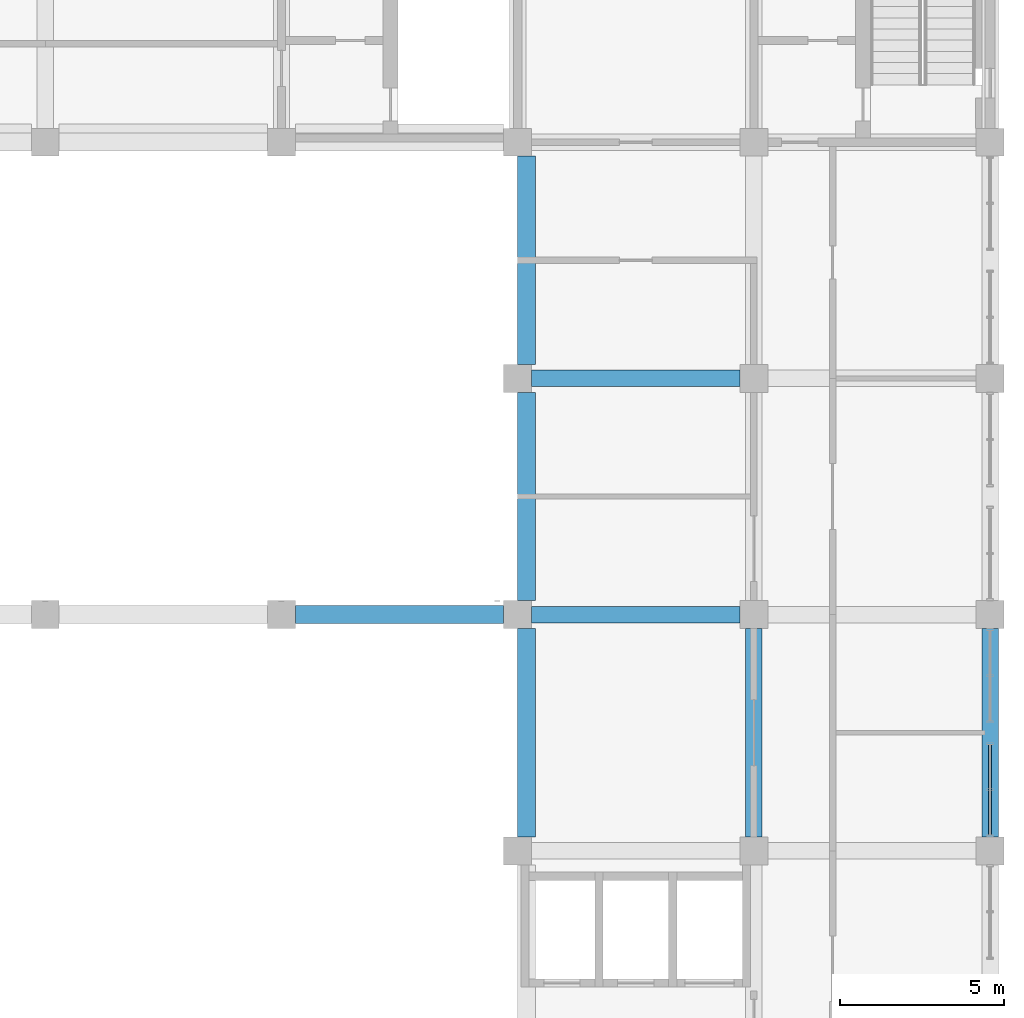
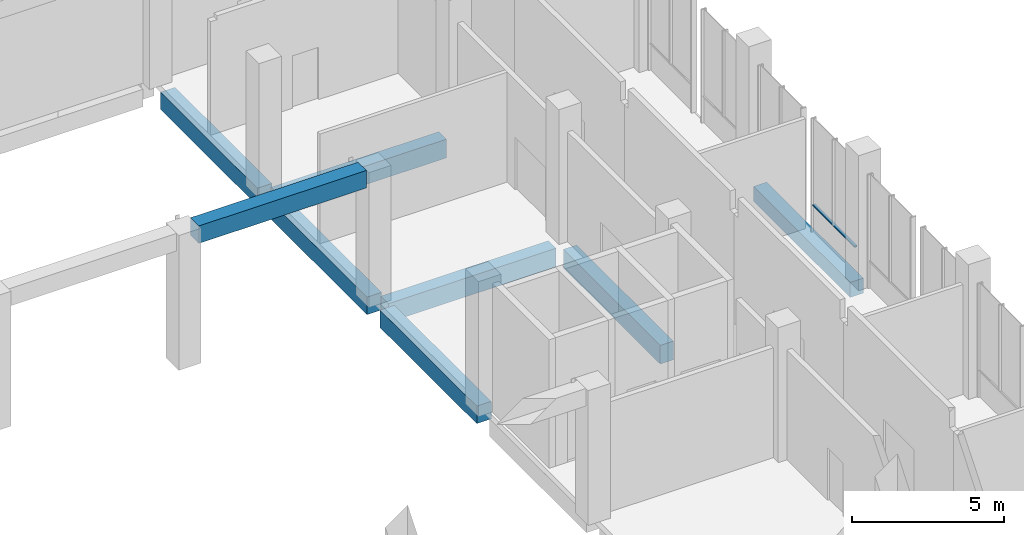
# One storey, part 16 of 48: 8 beams, 1 member, 1 element without a shape of its own.
"""IFC4 building model written with IfcOpenShell, lengths in metres."""

from ifc_helpers import new_model, si_unit, direction, frame, origin, origin_2d, place, context, subcontext, project, spatial, rectangle, hollow_rectangle, extrude, material, material_profile, profile_set, type_object, element, aggregate, save


model = new_model("IFC4")

# Units and contexts
model_context = context("Model", 3, precision=1e-05, world=origin(), true_north=direction((0.0, 1.0)))
body_context = subcontext(model_context, "Body", "Model", "MODEL_VIEW")
ifc_project = project(units=[si_unit("LENGTHUNIT", "METRE"), si_unit("AREAUNIT", "SQUARE_METRE"), si_unit("VOLUMEUNIT", "CUBIC_METRE"), si_unit("PLANEANGLEUNIT", "RADIAN"), si_unit("MASSUNIT", "GRAM", prefix="KILO")], contexts=[model_context])

# Site, building, storey
site_placement = place(None, origin())
site = spatial("IfcSite", under=ifc_project, at=site_placement, CompositionType="ELEMENT")
building_placement = place(site_placement, origin())
building = spatial("IfcBuilding", under=site, at=building_placement, Name="Silangan Lancet Faculty of Sciences", CompositionType="ELEMENT")
storey_placement = place(building_placement, frame((0.0, 0.0, 6.0)))
storey = spatial("IfcBuildingStorey", under=building, at=storey_placement, Name="L01", CompositionType="ELEMENT", Elevation=6.0)

# Beams
ifc_material_1 = material(Name="Concrete C40/50", Category="concrete")
ifc_material_profile_1 = material_profile(ifc_material_1, rectangle(XDim=0.5, YDim=0.60009765625, at=origin_2d()), Name="RC 500x600")
ifc_profile_set_1 = profile_set([ifc_material_profile_1], Name="Concrete C40/50")
beam_type_1 = type_object("IfcBeamType", Name="BEAM RC 500x600", PredefinedType="BEAM", material=ifc_profile_set_1)
beam_1_placement = place(storey_placement, frame((86.39990234375, 29.22509765625, -0.550048828125), z_axis=(0.0, 1.0, 0.0), x_axis=(-1.0, 0.0, 0.0)))
element("IfcBeam", 1, at=beam_1_placement, inside=storey, type_object=beam_type_1, Name="BM-L01-13E-13F", PredefinedType="BEAM", context=body_context, shape_type="SweptSolid", body=[
    extrude(rectangle(XDim=0.5, YDim=0.60009765625, at=origin_2d()), origin(), (0.0, 0.0, 1.0), 6.349853515625),
])
ifc_material_2 = material(Name="Concrete C40/50", Category="concrete")
ifc_material_profile_2 = material_profile(ifc_material_2, rectangle(XDim=0.5, YDim=0.75, at=origin_2d()), Name="RC 500x750")
ifc_profile_set_2 = profile_set([ifc_material_profile_2], Name="Concrete C40/50")
beam_type_2 = type_object("IfcBeamType", Name="BEAM RC 500x750", PredefinedType="BEAM", material=ifc_profile_set_2)
for number, where, z_axis, x_axis, name in (
    (2, (72.425048828125, 36.0, -0.625), (1.0, 0.0, 0.0), (0.0, 1.0, 0.0), "BM-L01-11F-12F"),
    (3, (72.425048828125, 43.199951171875, -0.625), (1.0, 0.0, 0.0), (0.0, 1.0, 0.0), "BM-L01-11G-12G"),
    (4, (79.199951171875, 29.22509765625, -0.625), (0.0, 1.0, 0.0), (-1.0, 0.0, 0.0), "BM-L01-12E-12F"),
):
    element("IfcBeam", number, at=place(storey_placement, frame(where, z_axis=z_axis, x_axis=x_axis)), inside=storey, type_object=beam_type_2, Name=name, PredefinedType="BEAM", context=body_context, shape_type="SweptSolid", body=[
        extrude(rectangle(XDim=0.5, YDim=0.75, at=origin_2d()), origin(), (0.0, 0.0, 1.0), 6.349853515625),
    ])
ifc_material_3 = material(Name="Concrete C40/50", Category="concrete")
ifc_material_profile_3 = material_profile(ifc_material_3, rectangle(XDim=0.550048828125, YDim=0.699951171875, at=origin_2d()), Name="RC 550x700")
ifc_profile_set_3 = profile_set([ifc_material_profile_3], Name="Concrete C40/50")
beam_type_3 = type_object("IfcBeamType", Name="BEAM RC 550x700", PredefinedType="BEAM", material=ifc_profile_set_3)
for number, where, z_axis, x_axis, name in (
    (5, (72.27490234375, 29.22509765625, -0.60009765625), (0.0, 1.0, 0.0), (-1.0, 0.0, 0.0), "BM-L01-11E-11F"),
    (6, (72.27490234375, 36.425048828125, -0.60009765625), (0.0, 1.0, 0.0), (-1.0, 0.0, 0.0), "BM-L01-11F-11G"),
):
    element("IfcBeam", number, at=place(storey_placement, frame(where, z_axis=z_axis, x_axis=x_axis)), inside=storey, type_object=beam_type_3, Name=name, PredefinedType="BEAM", context=body_context, shape_type="SweptSolid", body=[
        extrude(rectangle(XDim=0.550048828125, YDim=0.699951171875, at=origin_2d()), origin(), (0.0, 0.0, 1.0), 6.349853515625),
    ])
beam_2_placement = place(storey_placement, frame((72.27490234375, 43.625, -0.60009765625), z_axis=(0.0, 1.0, 0.0), x_axis=(-1.0, 0.0, 0.0)))
element("IfcBeam", 7, at=beam_2_placement, inside=storey, type_object=beam_type_3, Name="BM-L01-11G-11H", PredefinedType="BEAM", context=body_context, shape_type="SweptSolid", body=[
    extrude(rectangle(XDim=0.550048828125, YDim=0.699951171875, at=origin_2d()), origin(), (0.0, 0.0, 1.0), 6.35009765625),
])
beam_3_placement = place(storey_placement, frame((65.22509765625, 36.0, 5.050048828125), z_axis=(1.0, 0.0, 0.0), x_axis=(0.0, 1.0, 0.0)))
element("IfcBeam", 8, at=beam_3_placement, inside=storey, type_object=beam_type_3, Name="RB-L01-10F-11F", PredefinedType="BEAM", context=body_context, shape_type="SweptSolid", body=[
    extrude(rectangle(XDim=0.550048828125, YDim=0.699951171875, at=origin_2d()), origin(), (0.0, 0.0, 1.0), 6.349853515625),
])

# Curtain wall, member
ifc_material_4 = material(Name="Aluminium framed curtain wall with insulated glass", Category="aluminium")
curtain_wall_type = type_object("IfcCurtainWallType", Name="CW1 Commons and east block glazing", PredefinedType="NOTDEFINED", material=ifc_material_4)
curtain_wall_placement = place(storey_placement, origin())
curtain_wall = element("IfcCurtainWall", 9, at=curtain_wall_placement, inside=storey, type_object=curtain_wall_type, Name="CW1 East commons L01 bay 7", PredefinedType="NOTDEFINED")
ifc_material_5 = material(Name="Aluminium 6063-T6 extrusion", Category="aluminium")
ifc_material_profile_4 = material_profile(ifc_material_5, hollow_rectangle(XDim=0.10009765625, YDim=0.06005859375, WallThickness=0.0029296875, at=origin_2d()), Name="AL BOX 100x60x3")
ifc_profile_set_4 = profile_set([ifc_material_profile_4], Name="Aluminium 6063-T6 extrusion")
member_type = type_object("IfcMemberType", Name="CT1 Transom 100x60", PredefinedType="USERDEFINED", material=ifc_profile_set_4)
member_placement = place(storey_placement, frame((86.39990234375, 29.284912109375, 1.070068359375), z_axis=(0.0, 1.0, 0.0), x_axis=(-1.0, 0.0, 0.0)))
member = element("IfcMember", 10, at=member_placement, type_object=member_type, Name="CW1 East commons L01 bay 7 transom 1", ObjectType="TRANSOM", PredefinedType="USERDEFINED", context=body_context, shape_type="SweptSolid", body=[
    extrude(hollow_rectangle(XDim=0.10009765625, YDim=0.06005859375, WallThickness=0.0029296875, at=origin_2d()), origin(), (0.0, 0.0, 1.0), 2.7548828125),
])
aggregate(curtain_wall, [member])

save(model, "model.ifc")
